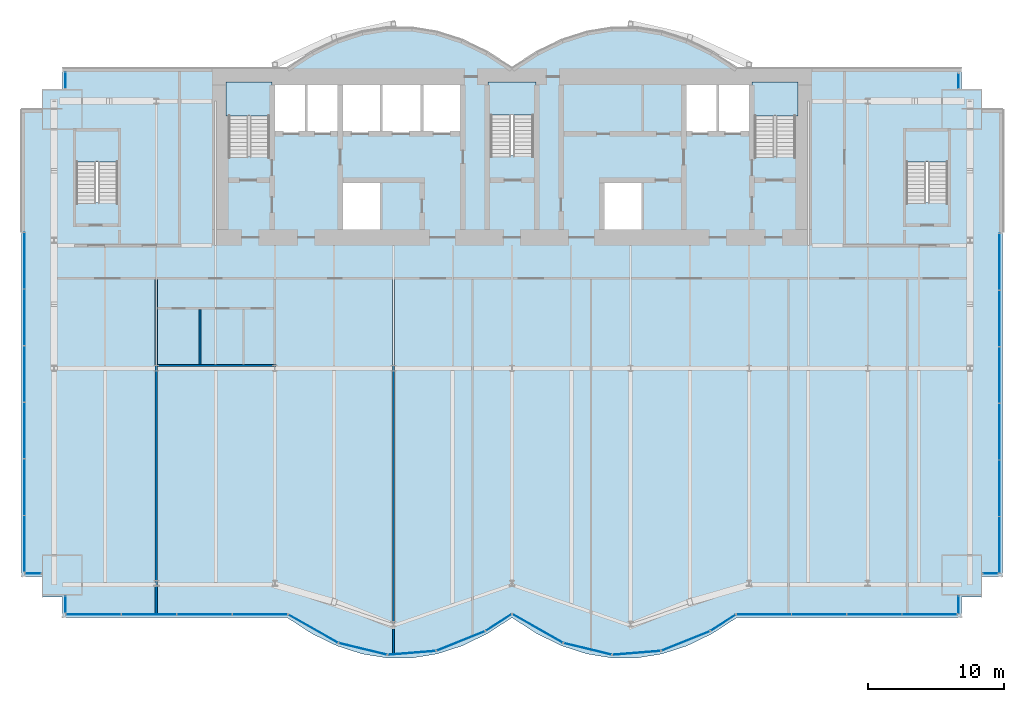
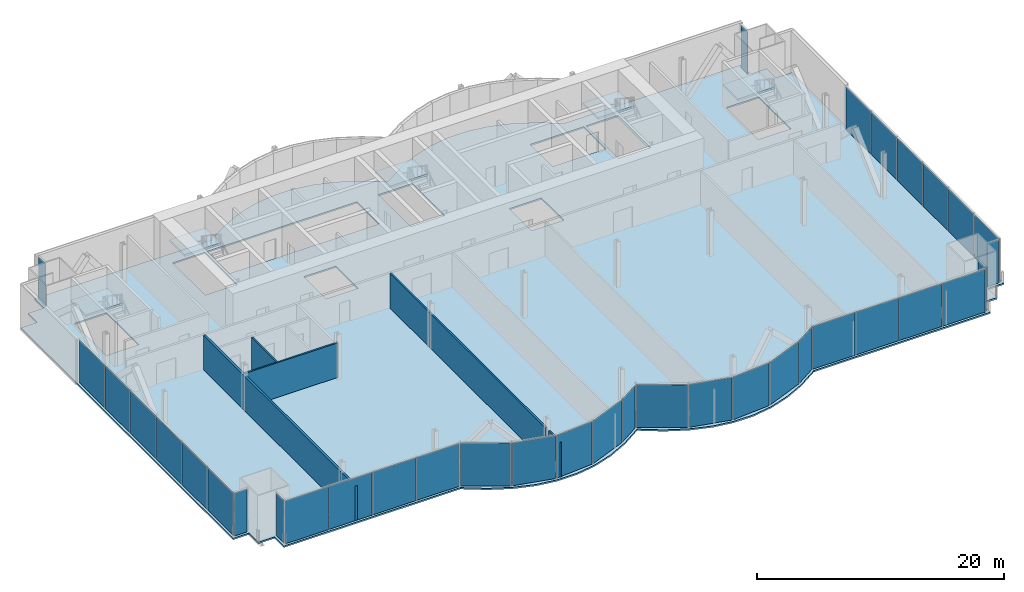
# One storey, part 14 of 21: 36 plates, 6 slabs, 5 walls, 17 elements without a shape of their own.
"""IFC4 building model written with IfcOpenShell, lengths in metres."""

from ifc_helpers import new_model, si_unit, direction, frame, frame_2d, origin, origin_2d, place, context, subcontext, project, spatial, polyline, rectangle, outline, extrude, material, layer, layer_set, type_object, element, aggregate, save


model = new_model("IFC4")

# Units and contexts
model_context = context("Model", 3, precision=1e-05, world=origin(), true_north=direction((0.0, 1.0)))
body_context = subcontext(model_context, "Body", "Model", "MODEL_VIEW")
ifc_project = project(units=[si_unit("LENGTHUNIT", "METRE"), si_unit("AREAUNIT", "SQUARE_METRE"), si_unit("VOLUMEUNIT", "CUBIC_METRE"), si_unit("PLANEANGLEUNIT", "RADIAN"), si_unit("MASSUNIT", "GRAM", prefix="KILO")], contexts=[model_context])

# Site, building, storey
site_placement = place(None, origin())
site = spatial("IfcSite", under=ifc_project, at=site_placement, CompositionType="ELEMENT")
building_placement = place(site_placement, origin())
building = spatial("IfcBuilding", under=site, at=building_placement, Name="Bicima Exchange Tower", CompositionType="ELEMENT")
storey_placement = place(building_placement, frame((0.0, 0.0, 66.5)))
storey = spatial("IfcBuildingStorey", under=building, at=storey_placement, Name="L13", CompositionType="ELEMENT", Elevation=66.5)

# Slab
ifc_material_1 = material(Name="Concrete C40/50", Category="concrete")
ifc_layer_1 = layer(ifc_material_1, 0.14990234375)
ifc_layer_set_1 = layer_set([ifc_layer_1], Name="Concrete C40/50")
slab_type_1 = type_object("IfcSlabType", Name="Composite floor slab 150", PredefinedType="FLOOR", material=ifc_layer_set_1)
slab_1_placement = place(storey_placement, frame((0.0, 0.0, -0.14990234375)))
element("IfcSlab", 1, at=slab_1_placement, inside=storey, type_object=slab_type_1, Name="Floor slab", PredefinedType="FLOOR", context=body_context, shape_type="SweptSolid", body=[
    extrude(outline(polyline([(-36.0, -37.2919921875), (-36.0, -3.0), (-34.5, -3.0), (-34.5, -1.5), (-33.0, -1.5), (-33.0, 0.0), (-16.5, 0.0), (-14.666748046875, 1.185302734375), (-12.833251953125, 2.07421875), (-11.0, 2.666748046875), (-9.166748046875, 2.962890625), (-7.333251953125, 2.962890625), (-5.5, 2.666748046875), (-3.666748046875, 2.07421875), (-1.833251953125, 1.185302734375), (0.0, 0.0), (1.833251953125, 1.185302734375), (3.666748046875, 2.07421875), (5.5, 2.666748046875), (7.333251953125, 2.962890625), (9.166748046875, 2.962890625), (11.0, 2.666748046875), (12.833251953125, 2.07421875), (14.666748046875, 1.185302734375), (16.5, 0.0), (33.0, 0.0), (33.0, -1.5), (34.5, -1.5), (34.5, -3.0), (36.0, -3.0), (36.0, -37.2919921875), (34.5, -37.2919921875), (34.5, -38.7919921875), (33.0, -38.7919921875), (33.0, -40.2919921875), (16.5, -40.2919921875), (14.666748046875, -41.477294921875), (12.833251953125, -42.3662109375), (11.0, -42.958740234375), (9.166748046875, -43.2548828125), (7.333251953125, -43.2548828125), (5.5, -42.958740234375), (3.666748046875, -42.3662109375), (1.833251953125, -41.477294921875), (0.0, -40.2919921875), (-1.833251953125, -41.477294921875), (-3.666748046875, -42.3662109375), (-5.5, -42.958740234375), (-7.333251953125, -43.2548828125), (-9.166748046875, -43.2548828125), (-11.0, -42.958740234375), (-12.833251953125, -42.3662109375), (-14.666748046875, -41.477294921875), (-16.5, -40.2919921875), (-33.0, -40.2919921875), (-33.0, -38.7919921875), (-34.5, -38.7919921875), (-34.5, -37.2919921875), (-36.0, -37.2919921875)]), holes=[polyline([(-9.60009765625, -11.800048828125), (-9.60009765625, -8.199951171875), (-12.60009765625, -8.199951171875), (-12.60009765625, -11.800048828125), (-9.60009765625, -11.800048828125)]), polyline([(-31.97509765625, -9.824951171875), (-28.925048828125, -9.824951171875), (-28.925048828125, -4.625), (-31.97509765625, -4.625), (-31.97509765625, -9.824951171875)]), polyline([(-20.800048828125, -6.449951171875), (-17.800048828125, -6.449951171875), (-17.800048828125, -1.199951171875), (-20.800048828125, -1.199951171875), (-20.800048828125, -6.449951171875)]), polyline([(-9.60009765625, -1.199951171875), (-12.60009765625, -1.199951171875), (-15.10009765625, -1.199951171875), (-17.60009765625, -1.199951171875), (-17.60009765625, -4.800048828125), (-15.10009765625, -4.800048828125), (-12.60009765625, -4.800048828125), (-9.60009765625, -4.800048828125), (-6.60009765625, -4.800048828125), (-3.60009765625, -4.800048828125), (-3.60009765625, -1.199951171875), (-6.60009765625, -1.199951171875), (-9.60009765625, -1.199951171875)]), polyline([(9.60009765625, -11.800048828125), (9.60009765625, -8.199951171875), (6.60009765625, -8.199951171875), (6.60009765625, -11.800048828125), (9.60009765625, -11.800048828125)]), polyline([(28.925048828125, -9.824951171875), (31.97509765625, -9.824951171875), (31.97509765625, -4.625), (28.925048828125, -4.625), (28.925048828125, -9.824951171875)]), polyline([(17.800048828125, -6.449951171875), (20.800048828125, -6.449951171875), (20.800048828125, -1.199951171875), (17.800048828125, -1.199951171875), (17.800048828125, -6.449951171875)]), polyline([(-1.574951171875, -6.39990234375), (1.574951171875, -6.39990234375), (1.574951171875, -1.199951171875), (-1.574951171875, -1.199951171875), (-1.574951171875, -6.39990234375)]), polyline([(17.60009765625, -4.800048828125), (17.60009765625, -1.199951171875), (15.10009765625, -1.199951171875), (12.60009765625, -1.199951171875), (12.60009765625, -4.800048828125), (15.10009765625, -4.800048828125), (17.60009765625, -4.800048828125)])]), origin(), (0.0, 0.0, 1.0), 0.14990234375),
])

# Curtain wall, plates
ifc_material_2 = material(Name="Anodised bronze aluminium", Category="aluminium")
curtain_wall_type_1 = type_object("IfcCurtainWallType", Name="End face glass wall", PredefinedType="NOTDEFINED", material=ifc_material_2)
curtain_wall_1_placement = place(storey_placement, origin())
curtain_wall_1 = element("IfcCurtainWall", 2, at=curtain_wall_1_placement, inside=storey, type_object=curtain_wall_type_1, Name="End face glass wall L13 run 2", PredefinedType="NOTDEFINED")
ifc_material_3 = material(Name="Bronze tinted glass", Category="glass")
ifc_layer_2 = layer(ifc_material_3, 0.031982421875)
ifc_layer_set_2 = layer_set([ifc_layer_2], Name="Bronze tinted glass")
plate_type_1 = type_object("IfcPlateType", Name="End face glass wall glass panel 32", PredefinedType="CURTAIN_PANEL", material=ifc_layer_set_2)
plate_1_placement = place(storey_placement, frame((-35.77001953125, -30.721435546875, 0.0), z_axis=(0.0, 0.0, 1.0), x_axis=(0.0, -1.0, 0.0)))
plate_1 = element("IfcPlate", 3, at=plate_1_placement, type_object=plate_type_1, Name="End face glass wall panel 5.1", PredefinedType="CURTAIN_PANEL", context=body_context, shape_type="SweptSolid", body=[
    extrude(rectangle(XDim=4.09375, YDim=0.031982421875, at=origin_2d()), origin(), (0.0, 0.0, 1.0), 4.2099609375),
])
plate_2_placement = place(storey_placement, frame((-35.77001953125, -34.875244140625, 0.0), z_axis=(0.0, 0.0, 1.0), x_axis=(0.0, -1.0, 0.0)))
plate_2 = element("IfcPlate", 4, at=plate_2_placement, type_object=plate_type_1, Name="End face glass wall panel 6.1", PredefinedType="CURTAIN_PANEL", context=body_context, shape_type="SweptSolid", body=[
    extrude(rectangle(XDim=4.09375, YDim=0.031982421875, at=origin_2d()), origin(), (0.0, 0.0, 1.0), 4.2099609375),
])

curtain_wall_2_placement = place(storey_placement, origin())
curtain_wall_2 = element("IfcCurtainWall", 5, at=curtain_wall_2_placement, inside=storey, type_object=curtain_wall_type_1, Name="End face glass wall L13 run 19", PredefinedType="NOTDEFINED")
plate_3_placement = place(storey_placement, frame((35.77001953125, -34.955078125, 0.0), z_axis=(0.0, 0.0, 1.0), x_axis=(0.0, 1.0, 0.0)))
plate_3 = element("IfcPlate", 6, at=plate_3_placement, type_object=plate_type_1, Name="End face glass wall panel 1.1", PredefinedType="CURTAIN_PANEL", context=body_context, shape_type="SweptSolid", body=[
    extrude(rectangle(XDim=4.09375, YDim=0.031982421875, at=origin_2d()), origin(), (0.0, 0.0, 1.0), 4.2099609375),
])
plate_4_placement = place(storey_placement, frame((35.77001953125, -30.801513671875, 0.0), z_axis=(0.0, 0.0, 1.0), x_axis=(0.0, 1.0, 0.0)))
plate_4 = element("IfcPlate", 7, at=plate_4_placement, type_object=plate_type_1, Name="End face glass wall panel 2.1", PredefinedType="CURTAIN_PANEL", context=body_context, shape_type="SweptSolid", body=[
    extrude(rectangle(XDim=4.09375, YDim=0.031982421875, at=origin_2d()), origin(), (0.0, 0.0, 1.0), 4.2099609375),
])

# Plate
ifc_material_4 = material(Name="Bronze anodised aluminium", Category="aluminium")
ifc_layer_3 = layer(ifc_material_4, 0.031982421875)
ifc_layer_set_3 = layer_set([ifc_layer_3], Name="Bronze anodised aluminium")
plate_type_2 = type_object("IfcPlateType", Name="End face glass wall spandrel panel 32", PredefinedType="CURTAIN_PANEL", material=ifc_layer_set_3)
plate_5_placement = place(storey_placement, frame((-35.77001953125, -14.106689453125, 0.0), z_axis=(0.0, 0.0, 1.0), x_axis=(0.0, -1.0, 0.0)))
plate_5 = element("IfcPlate", 8, at=plate_5_placement, type_object=plate_type_2, Name="End face spandrel wall panel 1.1", PredefinedType="CURTAIN_PANEL", context=body_context, shape_type="SweptSolid", body=[
    extrude(rectangle(XDim=4.09375, YDim=0.031982421875, at=origin_2d()), origin(), (0.0, 0.0, 1.0), 4.2099609375),
])

plate_6_placement = place(storey_placement, frame((-35.77001953125, -18.260498046875, 0.0), z_axis=(0.0, 0.0, 1.0), x_axis=(0.0, -1.0, 0.0)))
plate_6 = element("IfcPlate", 9, at=plate_6_placement, type_object=plate_type_2, Name="End face spandrel wall panel 2.1", PredefinedType="CURTAIN_PANEL", context=body_context, shape_type="SweptSolid", body=[
    extrude(rectangle(XDim=4.09375, YDim=0.031982421875, at=origin_2d()), origin(), (0.0, 0.0, 1.0), 4.2099609375),
])

plate_7_placement = place(storey_placement, frame((-35.77001953125, -22.414306640625, 0.0), z_axis=(0.0, 0.0, 1.0), x_axis=(0.0, -1.0, 0.0)))
plate_7 = element("IfcPlate", 10, at=plate_7_placement, type_object=plate_type_2, Name="End face spandrel wall panel 3.1", PredefinedType="CURTAIN_PANEL", context=body_context, shape_type="SweptSolid", body=[
    extrude(rectangle(XDim=4.09375, YDim=0.031982421875, at=origin_2d()), origin(), (0.0, 0.0, 1.0), 4.2099609375),
])

plate_8_placement = place(storey_placement, frame((-35.77001953125, -26.56787109375, 0.0), z_axis=(0.0, 0.0, 1.0), x_axis=(0.0, -1.0, 0.0)))
plate_8 = element("IfcPlate", 11, at=plate_8_placement, type_object=plate_type_2, Name="End face spandrel wall panel 4.1", PredefinedType="CURTAIN_PANEL", context=body_context, shape_type="SweptSolid", body=[
    extrude(rectangle(XDim=4.09375, YDim=0.031982421875, at=origin_2d()), origin(), (0.0, 0.0, 1.0), 4.2099609375),
])

aggregate(curtain_wall_1, [plate_5, plate_6, plate_7, plate_8, plate_1, plate_2])

plate_9_placement = place(storey_placement, frame((35.77001953125, -26.647705078125, 0.0), z_axis=(0.0, 0.0, 1.0), x_axis=(0.0, 1.0, 0.0)))
plate_9 = element("IfcPlate", 12, at=plate_9_placement, type_object=plate_type_2, Name="End face spandrel wall panel 3.1", PredefinedType="CURTAIN_PANEL", context=body_context, shape_type="SweptSolid", body=[
    extrude(rectangle(XDim=4.09375, YDim=0.031982421875, at=origin_2d()), origin(), (0.0, 0.0, 1.0), 4.2099609375),
])

plate_10_placement = place(storey_placement, frame((35.77001953125, -22.494140625, 0.0), z_axis=(0.0, 0.0, 1.0), x_axis=(0.0, 1.0, 0.0)))
plate_10 = element("IfcPlate", 13, at=plate_10_placement, type_object=plate_type_2, Name="End face spandrel wall panel 4.1", PredefinedType="CURTAIN_PANEL", context=body_context, shape_type="SweptSolid", body=[
    extrude(rectangle(XDim=4.09375, YDim=0.031982421875, at=origin_2d()), origin(), (0.0, 0.0, 1.0), 4.2099609375),
])

plate_11_placement = place(storey_placement, frame((35.77001953125, -18.340576171875, 0.0), z_axis=(0.0, 0.0, 1.0), x_axis=(0.0, 1.0, 0.0)))
plate_11 = element("IfcPlate", 14, at=plate_11_placement, type_object=plate_type_2, Name="End face spandrel wall panel 5.1", PredefinedType="CURTAIN_PANEL", context=body_context, shape_type="SweptSolid", body=[
    extrude(rectangle(XDim=4.09375, YDim=0.031982421875, at=origin_2d()), origin(), (0.0, 0.0, 1.0), 4.2099609375),
])

plate_12_placement = place(storey_placement, frame((35.77001953125, -14.186767578125, 0.0), z_axis=(0.0, 0.0, 1.0), x_axis=(0.0, 1.0, 0.0)))
plate_12 = element("IfcPlate", 15, at=plate_12_placement, type_object=plate_type_2, Name="End face spandrel wall panel 6.1", PredefinedType="CURTAIN_PANEL", context=body_context, shape_type="SweptSolid", body=[
    extrude(rectangle(XDim=4.09375, YDim=0.031982421875, at=origin_2d()), origin(), (0.0, 0.0, 1.0), 4.2099609375),
])

aggregate(curtain_wall_2, [plate_3, plate_4, plate_9, plate_10, plate_11, plate_12])

# Curtain wall, plate
curtain_wall_type_2 = type_object("IfcCurtainWallType", Name="Front glass wall", PredefinedType="NOTDEFINED", material=ifc_material_2)
curtain_wall_3_placement = place(storey_placement, origin())
curtain_wall_3 = element("IfcCurtainWall", 16, at=curtain_wall_3_placement, inside=storey, type_object=curtain_wall_type_2, Name="Front glass wall L13 run 1", PredefinedType="NOTDEFINED")
ifc_layer_4 = layer(ifc_material_3, 0.031982421875)
ifc_layer_set_4 = layer_set([ifc_layer_4], Name="Bronze tinted glass")
plate_type_3 = type_object("IfcPlateType", Name="Front glass wall glass panel 32", PredefinedType="CURTAIN_PANEL", material=ifc_layer_set_4)
plate_13_placement = place(storey_placement, frame((-32.77001953125, -0.864990234375, 0.0), z_axis=(0.0, 0.0, 1.0), x_axis=(0.0, -1.0, 0.0)))
plate_13 = element("IfcPlate", 17, at=plate_13_placement, type_object=plate_type_3, Name="Front glass wall panel 1.1", PredefinedType="CURTAIN_PANEL", context=body_context, shape_type="SweptSolid", body=[
    extrude(rectangle(XDim=1.14990234375, YDim=0.031982421875, at=origin_2d()), origin(), (0.0, 0.0, 1.0), 4.2099609375),
])
aggregate(curtain_wall_3, [plate_13])

curtain_wall_4_placement = place(storey_placement, origin())
curtain_wall_4 = element("IfcCurtainWall", 18, at=curtain_wall_4_placement, inside=storey, type_object=curtain_wall_type_2, Name="Front glass wall L13 run 3", PredefinedType="NOTDEFINED")
plate_14_placement = place(storey_placement, frame((-35.135009765625, -37.06201171875, 0.0), z_axis=(0.0, 0.0, 1.0), x_axis=(1.0, 0.0, 0.0)))
plate_14 = element("IfcPlate", 19, at=plate_14_placement, type_object=plate_type_3, Name="Front glass wall panel 1.1", PredefinedType="CURTAIN_PANEL", context=body_context, shape_type="SweptSolid", body=[
    extrude(rectangle(XDim=1.14990234375, YDim=0.031982421875, at=origin_2d()), origin(), (0.0, 0.0, 1.0), 4.2099609375),
])
aggregate(curtain_wall_4, [plate_14])

curtain_wall_5_placement = place(storey_placement, origin())
curtain_wall_5 = element("IfcCurtainWall", 20, at=curtain_wall_5_placement, inside=storey, type_object=curtain_wall_type_2, Name="Front glass wall L13 run 4", PredefinedType="NOTDEFINED")
plate_15_placement = place(storey_placement, frame((-32.77001953125, -39.325927734375, 0.0), z_axis=(0.0, 0.0, 1.0), x_axis=(0.0, -1.0, 0.0)))
plate_15 = element("IfcPlate", 21, at=plate_15_placement, type_object=plate_type_3, Name="Front glass wall panel 1.1", PredefinedType="CURTAIN_PANEL", context=body_context, shape_type="SweptSolid", body=[
    extrude(rectangle(XDim=1.19189453125, YDim=0.031982421875, at=origin_2d()), origin(), (0.0, 0.0, 1.0), 4.2099609375),
])
aggregate(curtain_wall_5, [plate_15])

# Curtain wall, plates
curtain_wall_6_placement = place(storey_placement, origin())
curtain_wall_6 = element("IfcCurtainWall", 22, at=curtain_wall_6_placement, inside=storey, type_object=curtain_wall_type_2, Name="Front glass wall L13 run 5", PredefinedType="NOTDEFINED")
plate_16_placement = place(storey_placement, frame((-30.705322265625, -40.06201171875, 0.0), z_axis=(0.0, 0.0, 1.0), x_axis=(1.0, 0.0, 0.0)))
plate_16 = element("IfcPlate", 23, at=plate_16_placement, type_object=plate_type_3, Name="Front glass wall panel 1.1", PredefinedType="CURTAIN_PANEL", context=body_context, shape_type="SweptSolid", body=[
    extrude(rectangle(XDim=4.009521484375, YDim=0.031982421875, at=origin_2d()), origin(), (0.0, 0.0, 1.0), 4.2099609375),
])
plate_17_placement = place(storey_placement, frame((-26.6357421875, -40.06201171875, 0.0), z_axis=(0.0, 0.0, 1.0), x_axis=(1.0, 0.0, 0.0)))
plate_17 = element("IfcPlate", 24, at=plate_17_placement, type_object=plate_type_3, Name="Front glass wall panel 2.1", PredefinedType="CURTAIN_PANEL", context=body_context, shape_type="SweptSolid", body=[
    extrude(rectangle(XDim=4.009521484375, YDim=0.031982421875, at=origin_2d()), origin(), (0.0, 0.0, 1.0), 4.2099609375),
])

curtain_wall_7_placement = place(storey_placement, origin())
curtain_wall_7 = element("IfcCurtainWall", 25, at=curtain_wall_7_placement, inside=storey, type_object=curtain_wall_type_2, Name="Front glass wall L13 run 6", PredefinedType="NOTDEFINED")
plate_18_placement = place(storey_placement, frame((-7.35107421875, -42.879638671875, 0.0), z_axis=(0.0, 0.0, 1.0), x_axis=(0.99674744821, 0.080588612633, 0.0)))
plate_18 = element("IfcPlate", 26, at=plate_18_placement, type_object=plate_type_3, Name="Front glass wall panel 1.1", PredefinedType="CURTAIN_PANEL", context=body_context, shape_type="SweptSolid", body=[
    extrude(rectangle(XDim=3.486083984375, YDim=0.031982421875, at=origin_2d()), origin(), (0.0, 0.0, 1.0), 4.2099609375),
])
plate_19_placement = place(storey_placement, frame((-3.750244140625, -42.00537109375, 0.0), z_axis=(0.0, 0.0, 1.0), x_axis=(0.92714396679, 0.374705304, 0.0)))
plate_19 = element("IfcPlate", 27, at=plate_19_placement, type_object=plate_type_3, Name="Front glass wall panel 1.1", PredefinedType="CURTAIN_PANEL", context=body_context, shape_type="SweptSolid", body=[
    extrude(rectangle(XDim=3.771240234375, YDim=0.031982421875, at=origin_2d()), origin(), (0.0, 0.0, 1.0), 4.2099609375),
])
plate_20_placement = place(storey_placement, frame((-0.97314453125, -40.647216796875, 0.0), z_axis=(0.0, 0.0, 1.0), x_axis=(0.839798994301, 0.542897457326, 0.0)))
plate_20 = element("IfcPlate", 28, at=plate_20_placement, type_object=plate_type_3, Name="Front glass wall panel 1.1", PredefinedType="CURTAIN_PANEL", context=body_context, shape_type="SweptSolid", body=[
    extrude(rectangle(XDim=2.197509765625, YDim=0.031982421875, at=origin_2d()), origin(), (0.0, 0.0, 1.0), 4.2099609375),
])

curtain_wall_8_placement = place(storey_placement, origin())
curtain_wall_8 = element("IfcCurtainWall", 29, at=curtain_wall_8_placement, inside=storey, type_object=curtain_wall_type_2, Name="Front glass wall L13 run 11", PredefinedType="NOTDEFINED")
plate_21_placement = place(storey_placement, frame((1.876220703125, -41.085205078125, 0.0), z_axis=(0.0, 0.0, 1.0), x_axis=(0.869274147378, -0.494330311331, 0.0)))
plate_21 = element("IfcPlate", 30, at=plate_21_placement, type_object=plate_type_3, Name="Front glass wall panel 1.1", PredefinedType="CURTAIN_PANEL", context=body_context, shape_type="SweptSolid", body=[
    extrude(rectangle(XDim=4.197021484375, YDim=0.031982421875, at=origin_2d()), origin(), (0.0, 0.0, 1.0), 4.2099609375),
])
plate_22_placement = place(storey_placement, frame((5.55224609375, -42.588623046875, 0.0), z_axis=(0.0, 0.0, 1.0), x_axis=(0.971830343553, -0.235681529503, 0.0)))
plate_22 = element("IfcPlate", 31, at=plate_22_placement, type_object=plate_type_3, Name="Front glass wall panel 1.1", PredefinedType="CURTAIN_PANEL", context=body_context, shape_type="SweptSolid", body=[
    extrude(rectangle(XDim=3.583251953125, YDim=0.031982421875, at=origin_2d()), origin(), (0.0, 0.0, 1.0), 4.2099609375),
])
plate_23_placement = place(storey_placement, frame((9.14892578125, -42.879638671875, 0.0), z_axis=(0.0, 0.0, 1.0), x_axis=(0.99674744821, 0.080588612633, 0.0)))
plate_23 = element("IfcPlate", 32, at=plate_23_placement, type_object=plate_type_3, Name="Front glass wall panel 1.1", PredefinedType="CURTAIN_PANEL", context=body_context, shape_type="SweptSolid", body=[
    extrude(rectangle(XDim=3.486083984375, YDim=0.031982421875, at=origin_2d()), origin(), (0.0, 0.0, 1.0), 4.2099609375),
])
plate_24_placement = place(storey_placement, frame((15.492919921875, -40.669189453125, 0.0), z_axis=(0.0, 0.0, 1.0), x_axis=(0.839791413941, 0.542909183079, 0.0)))
plate_24 = element("IfcPlate", 33, at=plate_24_placement, type_object=plate_type_3, Name="Front glass wall panel 1.1", PredefinedType="CURTAIN_PANEL", context=body_context, shape_type="SweptSolid", body=[
    extrude(rectangle(XDim=2.11669921875, YDim=0.031982421875, at=origin_2d()), origin(), (0.0, 0.0, 1.0), 4.2099609375),
])

curtain_wall_9_placement = place(storey_placement, origin())
curtain_wall_9 = element("IfcCurtainWall", 34, at=curtain_wall_9_placement, inside=storey, type_object=curtain_wall_type_2, Name="Front glass wall L13 run 16", PredefinedType="NOTDEFINED")
plate_25_placement = place(storey_placement, frame((26.585693359375, -40.06201171875, 0.0), z_axis=(0.0, 0.0, 1.0), x_axis=(1.0, 0.0, 0.0)))
plate_25 = element("IfcPlate", 35, at=plate_25_placement, type_object=plate_type_3, Name="Front glass wall panel 3.1", PredefinedType="CURTAIN_PANEL", context=body_context, shape_type="SweptSolid", body=[
    extrude(rectangle(XDim=3.989501953125, YDim=0.031982421875, at=origin_2d()), origin(), (0.0, 0.0, 1.0), 4.2099609375),
])
plate_26_placement = place(storey_placement, frame((30.63525390625, -40.06201171875, 0.0), z_axis=(0.0, 0.0, 1.0), x_axis=(1.0, 0.0, 0.0)))
plate_26 = element("IfcPlate", 36, at=plate_26_placement, type_object=plate_type_3, Name="Front glass wall panel 4.1", PredefinedType="CURTAIN_PANEL", context=body_context, shape_type="SweptSolid", body=[
    extrude(rectangle(XDim=3.989501953125, YDim=0.031982421875, at=origin_2d()), origin(), (0.0, 0.0, 1.0), 4.2099609375),
])

# Curtain wall, plate
curtain_wall_10_placement = place(storey_placement, origin())
curtain_wall_10 = element("IfcCurtainWall", 37, at=curtain_wall_10_placement, inside=storey, type_object=curtain_wall_type_2, Name="Front glass wall L13 run 17", PredefinedType="NOTDEFINED")
plate_27_placement = place(storey_placement, frame((32.77001953125, -39.365966796875, 0.0), z_axis=(0.0, 0.0, 1.0), x_axis=(0.0, 1.0, 0.0)))
plate_27 = element("IfcPlate", 38, at=plate_27_placement, type_object=plate_type_3, Name="Front glass wall panel 1.1", PredefinedType="CURTAIN_PANEL", context=body_context, shape_type="SweptSolid", body=[
    extrude(rectangle(XDim=1.27197265625, YDim=0.031982421875, at=origin_2d()), origin(), (0.0, 0.0, 1.0), 4.2099609375),
])
aggregate(curtain_wall_10, [plate_27])

curtain_wall_11_placement = place(storey_placement, origin())
curtain_wall_11 = element("IfcCurtainWall", 39, at=curtain_wall_11_placement, inside=storey, type_object=curtain_wall_type_2, Name="Front glass wall L13 run 18", PredefinedType="NOTDEFINED")
plate_28_placement = place(storey_placement, frame((35.094970703125, -37.06201171875, 0.0), z_axis=(0.0, 0.0, 1.0), x_axis=(1.0, 0.0, 0.0)))
plate_28 = element("IfcPlate", 40, at=plate_28_placement, type_object=plate_type_3, Name="Front glass wall panel 1.1", PredefinedType="CURTAIN_PANEL", context=body_context, shape_type="SweptSolid", body=[
    extrude(rectangle(XDim=1.070068359375, YDim=0.031982421875, at=origin_2d()), origin(), (0.0, 0.0, 1.0), 4.2099609375),
])
aggregate(curtain_wall_11, [plate_28])

curtain_wall_12_placement = place(storey_placement, origin())
curtain_wall_12 = element("IfcCurtainWall", 41, at=curtain_wall_12_placement, inside=storey, type_object=curtain_wall_type_2, Name="Front glass wall L13 run 20", PredefinedType="NOTDEFINED")
plate_29_placement = place(storey_placement, frame((32.77001953125, -0.905029296875, 0.0), z_axis=(0.0, 0.0, 1.0), x_axis=(0.0, 1.0, 0.0)))
plate_29 = element("IfcPlate", 42, at=plate_29_placement, type_object=plate_type_3, Name="Front glass wall panel 1.1", PredefinedType="CURTAIN_PANEL", context=body_context, shape_type="SweptSolid", body=[
    extrude(rectangle(XDim=1.070068359375, YDim=0.031982421875, at=origin_2d()), origin(), (0.0, 0.0, 1.0), 4.2099609375),
])
aggregate(curtain_wall_12, [plate_29])

# Plate
ifc_layer_5 = layer(ifc_material_4, 0.031982421875)
ifc_layer_set_5 = layer_set([ifc_layer_5], Name="Bronze anodised aluminium")
plate_type_4 = type_object("IfcPlateType", Name="Front glass wall spandrel panel 32", PredefinedType="CURTAIN_PANEL", material=ifc_layer_set_5)
plate_30_placement = place(storey_placement, frame((-22.56640625, -40.06201171875, 0.0), z_axis=(0.0, 0.0, 1.0), x_axis=(1.0, 0.0, 0.0)))
plate_30 = element("IfcPlate", 43, at=plate_30_placement, type_object=plate_type_4, Name="Front spandrel wall panel 3.1", PredefinedType="CURTAIN_PANEL", context=body_context, shape_type="SweptSolid", body=[
    extrude(rectangle(XDim=4.009521484375, YDim=0.031982421875, at=origin_2d()), origin(), (0.0, 0.0, 1.0), 4.2099609375),
])

plate_31_placement = place(storey_placement, frame((-18.496826171875, -40.06201171875, 0.0), z_axis=(0.0, 0.0, 1.0), x_axis=(1.0, 0.0, 0.0)))
plate_31 = element("IfcPlate", 44, at=plate_31_placement, type_object=plate_type_4, Name="Front spandrel wall panel 4.1", PredefinedType="CURTAIN_PANEL", context=body_context, shape_type="SweptSolid", body=[
    extrude(rectangle(XDim=4.009521484375, YDim=0.031982421875, at=origin_2d()), origin(), (0.0, 0.0, 1.0), 4.2099609375),
])

aggregate(curtain_wall_6, [plate_16, plate_17, plate_30, plate_31])

plate_32_placement = place(storey_placement, frame((-14.589599609375, -41.107177734375, 0.0), z_axis=(0.0, 0.0, 1.0), x_axis=(0.869805110681, -0.493395449343, 0.0)))
plate_32 = element("IfcPlate", 45, at=plate_32_placement, type_object=plate_type_4, Name="Front spandrel wall panel 1.1", PredefinedType="CURTAIN_PANEL", context=body_context, shape_type="SweptSolid", body=[
    extrude(rectangle(XDim=4.1162109375, YDim=0.031982421875, at=origin_2d()), origin(), (0.0, 0.0, 1.0), 4.2099609375),
])

plate_33_placement = place(storey_placement, frame((-10.94775390625, -42.588623046875, 0.0), z_axis=(0.0, 0.0, 1.0), x_axis=(0.971830343553, -0.235681529503, 0.0)))
plate_33 = element("IfcPlate", 46, at=plate_33_placement, type_object=plate_type_4, Name="Front spandrel wall panel 1.1", PredefinedType="CURTAIN_PANEL", context=body_context, shape_type="SweptSolid", body=[
    extrude(rectangle(XDim=3.583251953125, YDim=0.031982421875, at=origin_2d()), origin(), (0.0, 0.0, 1.0), 4.2099609375),
])

aggregate(curtain_wall_7, [plate_32, plate_33, plate_18, plate_19, plate_20])

plate_34_placement = place(storey_placement, frame((12.749755859375, -42.00537109375, 0.0), z_axis=(0.0, 0.0, 1.0), x_axis=(0.92714396679, 0.374705304, 0.0)))
plate_34 = element("IfcPlate", 47, at=plate_34_placement, type_object=plate_type_4, Name="Front spandrel wall panel 1.1", PredefinedType="CURTAIN_PANEL", context=body_context, shape_type="SweptSolid", body=[
    extrude(rectangle(XDim=3.771240234375, YDim=0.031982421875, at=origin_2d()), origin(), (0.0, 0.0, 1.0), 4.2099609375),
])

aggregate(curtain_wall_8, [plate_21, plate_22, plate_23, plate_34, plate_24])

plate_35_placement = place(storey_placement, frame((18.48681640625, -40.06201171875, 0.0), z_axis=(0.0, 0.0, 1.0), x_axis=(1.0, 0.0, 0.0)))
plate_35 = element("IfcPlate", 48, at=plate_35_placement, type_object=plate_type_4, Name="Front spandrel wall panel 1.1", PredefinedType="CURTAIN_PANEL", context=body_context, shape_type="SweptSolid", body=[
    extrude(rectangle(XDim=3.989501953125, YDim=0.031982421875, at=origin_2d()), origin(), (0.0, 0.0, 1.0), 4.2099609375),
])

plate_36_placement = place(storey_placement, frame((22.536376953125, -40.06201171875, 0.0), z_axis=(0.0, 0.0, 1.0), x_axis=(1.0, 0.0, 0.0)))
plate_36 = element("IfcPlate", 49, at=plate_36_placement, type_object=plate_type_4, Name="Front spandrel wall panel 2.1", PredefinedType="CURTAIN_PANEL", context=body_context, shape_type="SweptSolid", body=[
    extrude(rectangle(XDim=3.989501953125, YDim=0.031982421875, at=origin_2d()), origin(), (0.0, 0.0, 1.0), 4.2099609375),
])

aggregate(curtain_wall_9, [plate_35, plate_36, plate_25, plate_26])

# Stair, slab
ifc_material_5 = material(Name="Concrete C50/60", Category="concrete")
stair_type_1 = type_object("IfcStairType", Name="Exit stair", PredefinedType="HALF_TURN_STAIR", material=ifc_material_5)
stair_1_placement = place(storey_placement, origin())
stair_1 = element("IfcStair", 50, at=stair_1_placement, inside=storey, type_object=stair_type_1, Name="L13 West exit stair", PredefinedType="HALF_TURN_STAIR")
ifc_layer_6 = layer(ifc_material_5, 0.199951171875)
ifc_layer_set_6 = layer_set([ifc_layer_6], Name="Concrete C50/60")
slab_type_2 = type_object("IfcSlabType", Name="Stair landing slab", PredefinedType="LANDING", material=ifc_layer_set_6)
slab_2_placement = place(storey_placement, frame((0.0, 0.0, 2.050048828125)))
slab_2 = element("IfcSlab", 51, at=slab_2_placement, type_object=slab_type_2, Name="ST-W landing 1", PredefinedType="LANDING", context=body_context, shape_type="SweptSolid", body=[
    extrude(outline(polyline([(-17.60009765625, -3.469970703125), (-17.60009765625, -1.0), (-21.0, -1.0), (-21.0, -3.469970703125), (-17.60009765625, -3.469970703125)])), origin(), (0.0, 0.0, 1.0), 0.199951171875),
])
aggregate(stair_1, [slab_2])

stair_type_2 = type_object("IfcStairType", Name="Exit stair 1500", PredefinedType="HALF_TURN_STAIR", material=ifc_material_5)
stair_2_placement = place(storey_placement, origin())
stair_2 = element("IfcStair", 52, at=stair_2_placement, inside=storey, type_object=stair_type_2, Name="L13 Central exit stair", PredefinedType="HALF_TURN_STAIR")
slab_3_placement = place(storey_placement, frame((0.0, 0.0, 2.050048828125)))
slab_3 = element("IfcSlab", 53, at=slab_3_placement, type_object=slab_type_2, Name="ST-C landing 1", PredefinedType="LANDING", context=body_context, shape_type="SweptSolid", body=[
    extrude(outline(polyline([(1.77490234375, -3.419921875), (1.77490234375, -1.0), (-1.77490234375, -1.0), (-1.77490234375, -3.419921875), (1.77490234375, -3.419921875)])), origin(), (0.0, 0.0, 1.0), 0.199951171875),
])
aggregate(stair_2, [slab_3])

stair_3_placement = place(storey_placement, origin())
stair_3 = element("IfcStair", 54, at=stair_3_placement, inside=storey, type_object=stair_type_1, Name="L13 East exit stair", PredefinedType="HALF_TURN_STAIR")
slab_4_placement = place(storey_placement, frame((0.0, 0.0, 2.050048828125)))
slab_4 = element("IfcSlab", 55, at=slab_4_placement, type_object=slab_type_2, Name="ST-E landing 1", PredefinedType="LANDING", context=body_context, shape_type="SweptSolid", body=[
    extrude(outline(polyline([(21.0, -3.469970703125), (21.0, -1.0), (17.60009765625, -1.0), (17.60009765625, -3.469970703125), (21.0, -3.469970703125)])), origin(), (0.0, 0.0, 1.0), 0.199951171875),
])
aggregate(stair_3, [slab_4])

stair_4_placement = place(storey_placement, origin())
stair_4 = element("IfcStair", 56, at=stair_4_placement, inside=storey, type_object=stair_type_1, Name="L13 West end exit stair", PredefinedType="HALF_TURN_STAIR")
slab_5_placement = place(storey_placement, frame((0.0, 0.0, 2.050048828125)))
slab_5 = element("IfcSlab", 57, at=slab_5_placement, type_object=slab_type_2, Name="ST-WW landing 1", PredefinedType="LANDING", context=body_context, shape_type="SweptSolid", body=[
    extrude(outline(polyline([(-28.72509765625, -6.844970703125), (-28.72509765625, -4.425048828125), (-32.175048828125, -4.425048828125), (-32.175048828125, -6.844970703125), (-28.72509765625, -6.844970703125)])), origin(), (0.0, 0.0, 1.0), 0.199951171875),
])
aggregate(stair_4, [slab_5])

stair_5_placement = place(storey_placement, origin())
stair_5 = element("IfcStair", 58, at=stair_5_placement, inside=storey, type_object=stair_type_1, Name="L13 East end exit stair", PredefinedType="HALF_TURN_STAIR")
slab_6_placement = place(storey_placement, frame((0.0, 0.0, 2.050048828125)))
slab_6 = element("IfcSlab", 59, at=slab_6_placement, type_object=slab_type_2, Name="ST-EE landing 1", PredefinedType="LANDING", context=body_context, shape_type="SweptSolid", body=[
    extrude(outline(polyline([(32.175048828125, -6.844970703125), (32.175048828125, -4.425048828125), (28.72509765625, -4.425048828125), (28.72509765625, -6.844970703125), (32.175048828125, -6.844970703125)])), origin(), (0.0, 0.0, 1.0), 0.199951171875),
])
aggregate(stair_5, [slab_6])

# Walls
ifc_material_6 = material(Name="Gypsum board partition")
ifc_layer_7 = layer(ifc_material_6, 0.199951171875)
ifc_layer_set_7 = layer_set([ifc_layer_7], Name="Gypsum board partition")
wall_type_1 = type_object("IfcWallType", Name="Fire-rated gypsum partition 200 EI60", PredefinedType="PARTITIONING", material=ifc_layer_set_7)
wall_1_placement = place(storey_placement, frame((-26.10009765625, -40.080078125, 0.0), z_axis=(0.0, 0.0, 1.0), x_axis=(0.0, 1.0, 0.0)))
element("IfcWall", 60, at=wall_1_placement, inside=storey, type_object=wall_type_1, Name="partition wall 14", PredefinedType="PARTITIONING", context=body_context, shape_type="SweptSolid", body=[
    extrude(rectangle(XDim=24.580078125, YDim=0.199951171875, at=frame_2d((12.2900390625, 0.0))), origin(), (0.0, 0.0, 1.0), 3.418212890625),
])
ifc_layer_8 = layer(ifc_material_6, 0.14990234375)
ifc_layer_set_8 = layer_set([ifc_layer_8], Name="Gypsum board partition")
wall_type_2 = type_object("IfcWallType", Name="Gypsum partition 150", PredefinedType="PARTITIONING", material=ifc_layer_set_8)
wall_2_placement = place(storey_placement, frame((-26.0, -21.800048828125, 0.0), z_axis=(0.0, 0.0, 1.0), x_axis=(1.0, 0.0, 0.0)))
element("IfcWall", 61, at=wall_2_placement, inside=storey, type_object=wall_type_2, Name="partition wall 1", PredefinedType="PARTITIONING", context=body_context, shape_type="SweptSolid", body=[
    extrude(rectangle(XDim=8.699951171875, YDim=0.14990234375, at=frame_2d((4.35009765625, 0.0))), origin(), (0.0, 0.0, 1.0), 3.418212890625),
])
wall_3_placement = place(storey_placement, frame((-22.89990234375, -21.72509765625, 0.0), z_axis=(0.0, 0.0, 1.0), x_axis=(0.0, 1.0, 0.0)))
element("IfcWall", 62, at=wall_3_placement, inside=storey, type_object=wall_type_2, Name="partition wall 16", PredefinedType="PARTITIONING", context=body_context, shape_type="SweptSolid", body=[
    extrude(rectangle(XDim=4.025146484375, YDim=0.14990234375, at=frame_2d((2.0126953125, 0.0))), origin(), (0.0, 0.0, 1.0), 3.418212890625),
])
wall_4_placement = place(storey_placement, frame((-8.699951171875, -43.0400390625, 0.0), z_axis=(0.0, 0.0, 1.0), x_axis=(0.0, 1.0, 0.0)))
element("IfcWall", 63, at=wall_4_placement, inside=storey, type_object=wall_type_2, Name="partition wall 19", PredefinedType="PARTITIONING", context=body_context, shape_type="SweptSolid", body=[
    extrude(rectangle(XDim=1.9130859375, YDim=0.14990234375, at=frame_2d((0.95654296875, 0.0))), origin(), (0.0, 0.0, 1.0), 3.418212890625),
])
wall_5_placement = place(storey_placement, frame((-8.699951171875, -40.63916015625, 0.0), z_axis=(0.0, 0.0, 1.0), x_axis=(0.0, 1.0, 0.0)))
element("IfcWall", 64, at=wall_5_placement, inside=storey, type_object=wall_type_2, Name="partition wall 20", PredefinedType="PARTITIONING", context=body_context, shape_type="SweptSolid", body=[
    extrude(rectangle(XDim=25.13916015625, YDim=0.14990234375, at=frame_2d((12.569580078125, 0.0))), origin(), (0.0, 0.0, 1.0), 3.418212890625),
])

save(model, "model.ifc")
